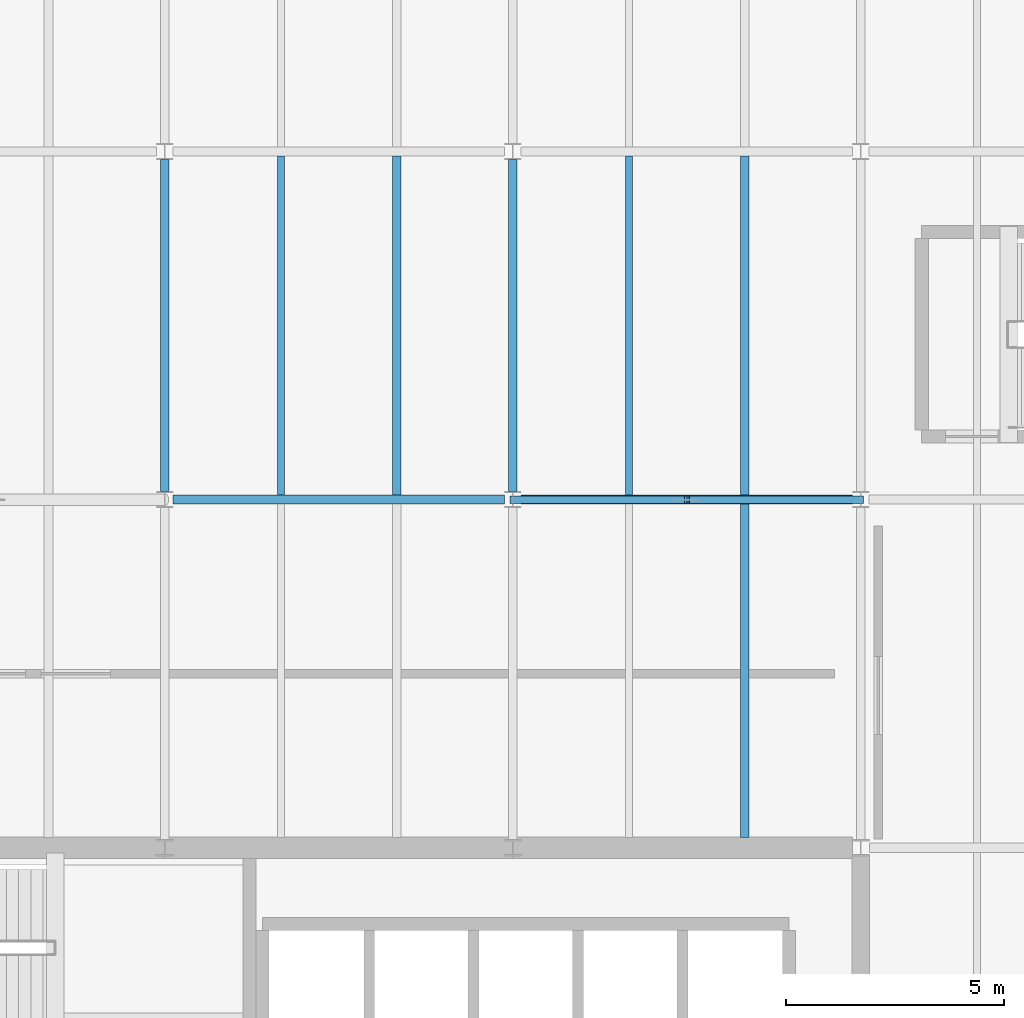
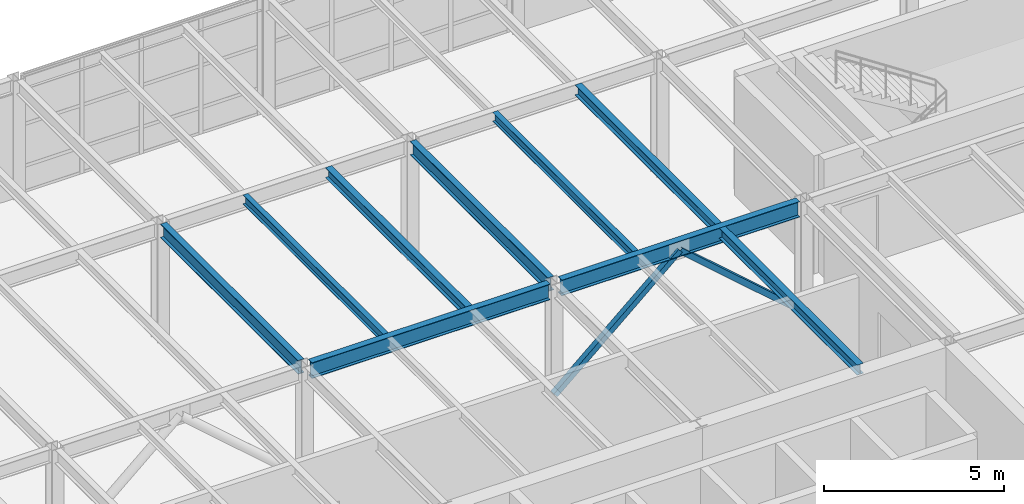
# One storey, part 17 of 50: 9 beams, 2 members.
"""IFC4 building model written with IfcOpenShell, lengths in metres."""

import ifcopenshell
import ifcopenshell.guid

model = None  # the IFC model being written
_history = None  # IfcOwnerHistory: only IFC2X3 demands one
_inside = {}  # id of a spatial element -> (the spatial element, [elements in it])
_under = {}  # id of a project, library or spatial element -> (it, [spatial elements below it])
_declared = {}  # id of a project -> (the project, [libraries it declares])
_typed = {}  # id of a type object -> (the type object, [elements of that type])
_made_of = {}  # id of a material, layer set ... -> (it, [elements and type objects made of it])


def new_model(schema):
    """Start an empty IFC model of exactly this schema.

    Asked for "IFC4X3", IfcOpenShell would pick the latest addendum, in which some entities
    have other attributes; the version numbers below select the first issue.
    IFC2X3 requires an IfcOwnerHistory on every rooted entity: one is made here for all.
    """
    global model, _history
    if schema == "IFC4X3":
        model = ifcopenshell.file(schema_version=(4, 3, 0, 0))
    else:
        model = ifcopenshell.file(schema=schema)
    _inside.clear()
    _under.clear()
    _declared.clear()
    _typed.clear()
    _made_of.clear()
    _history = None
    if model.schema == "IFC2X3":
        org = make("IfcOrganization", Name="unknown")
        user = make(
            "IfcPersonAndOrganization",
            ThePerson=make("IfcPerson", FamilyName="unknown"),
            TheOrganization=org,
        )
        app = make(
            "IfcApplication",
            ApplicationDeveloper=org,
            Version="unknown",
            ApplicationFullName="unknown",
            ApplicationIdentifier="unknown",
        )
        _history = make(
            "IfcOwnerHistory",
            OwningUser=user,
            OwningApplication=app,
            ChangeAction="ADDED",
            CreationDate=0,
        )
    return model


def make(cls, **values):
    """One entity of the class cls with the attributes given. An attribute that is None is left unset."""
    return model.create_entity(
        cls, **{name: value for name, value in values.items() if value is not None}
    )


def rooted(cls, **values):
    """An entity with a GlobalId (a new one), such as an element, a storey or a relation."""
    return make(cls, GlobalId=ifcopenshell.guid.new(), OwnerHistory=_history, **values)


def si_unit(unit_type, name, prefix=None):
    """IfcSIUnit, for example si_unit("LENGTHUNIT", "METRE", prefix="MILLI")."""
    return make("IfcSIUnit", UnitType=unit_type, Prefix=prefix, Name=name)


def assignment(units):
    """IfcUnitAssignment: the units of a project."""
    return None if units is None else make("IfcUnitAssignment", Units=units)


def point(xyz):
    """IfcCartesianPoint."""
    return None if xyz is None else make("IfcCartesianPoint", Coordinates=xyz)


def direction(xyz):
    """IfcDirection."""
    return None if xyz is None else make("IfcDirection", DirectionRatios=xyz)


def frame(location, z_axis=None, x_axis=None):
    """IfcAxis2Placement3D, a coordinate frame: its origin and axes. An axis left out is left unset."""
    return make(
        "IfcAxis2Placement3D",
        Location=point(location),
        Axis=direction(z_axis),
        RefDirection=direction(x_axis),
    )


def frame_2d(location, x_axis=None):
    """IfcAxis2Placement2D, a coordinate frame in the plane: its origin and x axis."""
    return make(
        "IfcAxis2Placement2D", Location=point(location), RefDirection=direction(x_axis)
    )


def origin():
    """The frame at (0, 0, 0) with its axes left unset."""
    return frame((0.0, 0.0, 0.0))


def origin_2d():
    """The frame at (0, 0) in the plane with its x axis left unset."""
    return frame_2d((0.0, 0.0))


def place(relative_to, where):
    """IfcLocalPlacement: puts the frame where relative to a parent placement (None: the world)."""
    return make(
        "IfcLocalPlacement", PlacementRelTo=relative_to, RelativePlacement=where
    )


def context(
    kind, dimensions, precision=None, world=None, true_north=None, identifier=None
):
    """IfcGeometricRepresentationContext, for example the 3D "Model" context."""
    return make(
        "IfcGeometricRepresentationContext",
        ContextIdentifier=identifier,
        ContextType=kind,
        CoordinateSpaceDimension=dimensions,
        Precision=precision,
        WorldCoordinateSystem=world,
        TrueNorth=true_north,
    )


def subcontext(parent, identifier, kind, view, scale=None):
    """IfcGeometricRepresentationSubContext, for example "Body" below "Model"."""
    return make(
        "IfcGeometricRepresentationSubContext",
        ContextIdentifier=identifier,
        ContextType=kind,
        ParentContext=parent,
        TargetScale=scale,
        TargetView=view,
    )


def project(units=None, contexts=None):
    """IfcProject with its units and contexts."""
    return rooted(
        "IfcProject",
        Name="project",
        RepresentationContexts=contexts,
        UnitsInContext=assignment(units),
    )


def spatial(cls, under=None, at=None, **own):
    """A site, building, storey or space (cls), placed at a placement, below another one or the project."""
    s = rooted(cls, ObjectPlacement=at, **own)
    if under is not None:
        _under.setdefault(under.id(), (under, []))[1].append(s)
    return s


def profile(cls, at=None, kind="AREA", **sizes):
    """A parametric profile (cls). Its sizes go by their IFC names, for example OverallWidth=200.0."""
    return make(cls, ProfileType=kind, Position=at, **sizes)


def hollow_rectangle(**sizes):
    """IfcRectangleHollowProfileDef."""
    return profile("IfcRectangleHollowProfileDef", **sizes)


def i_section(**sizes):
    """IfcIShapeProfileDef."""
    return profile("IfcIShapeProfileDef", **sizes)


def extrude(swept, where, along, depth):
    """IfcExtrudedAreaSolid: the profile swept, set in the frame where, extruded along a direction by depth."""
    return make(
        "IfcExtrudedAreaSolid",
        SweptArea=swept,
        Position=where,
        ExtrudedDirection=direction(along),
        Depth=depth,
    )


def shape(context_of_items, identifier, shape_type, items):
    """IfcShapeRepresentation: the items that make up one representation, for example the "Body"."""
    return make(
        "IfcShapeRepresentation",
        ContextOfItems=context_of_items,
        RepresentationIdentifier=identifier,
        RepresentationType=shape_type,
        Items=items,
    )


def material(Name=None, Category=None):
    """IfcMaterial."""
    return make("IfcMaterial", Name=Name, Category=Category)


def material_profile(
    of_material, cross_section, Name=None, Category=None, Priority=None
):
    """IfcMaterialProfile: a cross section and its material."""
    return make(
        "IfcMaterialProfile",
        Name=Name,
        Material=of_material,
        Profile=cross_section,
        Priority=Priority,
        Category=Category,
    )


def profile_set(profiles, Name=None, composite=None):
    """IfcMaterialProfileSet."""
    return make(
        "IfcMaterialProfileSet",
        Name=Name,
        MaterialProfiles=profiles,
        CompositeProfile=composite,
    )


def made_of(thing, what):
    """Note that an element or type object is made of a material, layer set ...; save() writes the relation."""
    if what is not None:
        _made_of.setdefault(what.id(), (what, []))[1].append(thing)
    return thing


def type_object(cls, material=None, **own):
    """A type object (cls), such as IfcWallType, which elements share."""
    return made_of(rooted(cls, **own), material)


def element(
    cls,
    number,
    at=None,
    inside=None,
    cuts=None,
    type_object=None,
    material=None,
    context=None,
    identifier="Body",
    shape_type=None,
    held_by="IfcProductDefinitionShape",
    body=None,
    shapes=None,
    **own,
):
    """One element of the class cls, such as IfcWall. Its Tag is "e" and its number.

    at: its placement. inside: the storey or other place that contains it. cuts: it is an
    opening in that element (IfcRelVoidsElement). A single representation is given by context,
    identifier, shape_type and body (its items); several are given by shapes. held_by: the class
    of the entity that holds the representations. save() writes the other relations.
    """
    e = rooted(cls, Tag="e%d" % number, ObjectPlacement=at, **own)
    if body is not None:
        shapes = [shape(context, identifier, shape_type, body)]
    if shapes is not None:
        e.Representation = make(held_by, Representations=shapes)
    if inside is not None:
        _inside.setdefault(inside.id(), (inside, []))[1].append(e)
    if cuts is not None:
        rooted(
            "IfcRelVoidsElement", RelatingBuildingElement=cuts, RelatedOpeningElement=e
        )
    if type_object is not None:
        _typed.setdefault(type_object.id(), (type_object, []))[1].append(e)
    return made_of(e, material)


def aggregate(whole, parts):
    """IfcRelAggregates: a whole, such as a stair, and the parts it consists of."""
    return rooted("IfcRelAggregates", RelatingObject=whole, RelatedObjects=parts)


def save(model, path):
    """Write the relations noted so far, then the file.

    IfcRelAggregates (storeys below a building ...), IfcRelContainedInSpatialStructure (elements
    in a storey), IfcRelDefinesByType, IfcRelAssociatesMaterial and IfcRelDeclares: one each for
    every whole, place, type object, material and project.
    """
    for whole, parts in _under.values():
        aggregate(whole, parts)
    for where, things in _inside.values():
        rooted(
            "IfcRelContainedInSpatialStructure",
            RelatedElements=things,
            RelatingStructure=where,
        )
    for kind, things in _typed.values():
        rooted("IfcRelDefinesByType", RelatedObjects=things, RelatingType=kind)
    for what, things in _made_of.values():
        rooted("IfcRelAssociatesMaterial", RelatedObjects=things, RelatingMaterial=what)
    for by, libraries in _declared.values():
        rooted("IfcRelDeclares", RelatingContext=by, RelatedDefinitions=libraries)
    model.write(path)


model = new_model("IFC4")

# Units and contexts
model_context = context("Model", 3, precision=1e-05, world=origin(), true_north=direction((0.0, 1.0)))
body_context = subcontext(model_context, "Body", "Model", "MODEL_VIEW")
ifc_project = project(units=[si_unit("LENGTHUNIT", "METRE"), si_unit("AREAUNIT", "SQUARE_METRE"), si_unit("VOLUMEUNIT", "CUBIC_METRE"), si_unit("PLANEANGLEUNIT", "RADIAN"), si_unit("MASSUNIT", "GRAM", prefix="KILO")], contexts=[model_context])

# Site, building, storey
site_placement = place(None, origin())
site = spatial("IfcSite", under=ifc_project, at=site_placement, CompositionType="ELEMENT")
building_placement = place(site_placement, origin())
building = spatial("IfcBuilding", under=site, at=building_placement, Name="Varnela Railside Interchange", CompositionType="ELEMENT")
storey_placement = place(building_placement, frame((0.0, 0.0, 15.39990234375)))
storey = spatial("IfcBuildingStorey", under=building, at=storey_placement, Name="L03", CompositionType="ELEMENT", Elevation=15.39990234375)

# Beams
ifc_material = material(Name="Steel AR 350 (350 MPa)", Category="steel")
ifc_material_profile_1 = material_profile(ifc_material, i_section(OverallWidth=0.1650390625, OverallDepth=0.31005859375, WebThickness=0.005859375, FlangeThickness=0.009765625, at=origin_2d()), Name="W310x38.7")
ifc_profile_set_1 = profile_set([ifc_material_profile_1], Name="Steel AR 350 (350 MPa)")
beam_type_1 = type_object("IfcBeamType", Name="Composite Floor Joist J-04", PredefinedType="JOIST", material=ifc_profile_set_1)
for number, where, z_axis, x_axis, name in (
    (1, (22.669921875, 78.1044921875, 3.84521484375), (0.0, 1.0, 0.0), (-1.0, 0.0, 0.0), "Composite Floor Joist J-04 (L03) (BM-2181)"),
    (2, (30.669921875, 78.1044921875, 3.84521484375), (0.0, 1.0, 0.0), (-1.0, 0.0, 0.0), "Composite Floor Joist J-04 (L03) (BM-2189)"),
):
    element("IfcBeam", number, at=place(storey_placement, frame(where, z_axis=z_axis, x_axis=x_axis)), inside=storey, type_object=beam_type_1, Name=name, PredefinedType="JOIST", context=body_context, shape_type="SweptSolid", body=[
        extrude(i_section(OverallWidth=0.1650390625, OverallDepth=0.31005859375, WebThickness=0.005859375, FlangeThickness=0.009765625, at=origin_2d()), origin(), (0.0, 0.0, 1.0), 7.791015625),
    ])
ifc_material_profile_2 = material_profile(ifc_material, i_section(OverallWidth=0.208984375, OverallDepth=0.532958984375, WebThickness=0.01025390625, FlangeThickness=0.015625, at=origin_2d()), Name="W530x92")
ifc_profile_set_2 = profile_set([ifc_material_profile_2], Name="Steel AR 350 (350 MPa)")
beam_type_2 = type_object("IfcBeamType", Name="Composite Girder B-18", PredefinedType="BEAM", material=ifc_profile_set_2)
for number, where, z_axis, x_axis, name in (
    (3, (20.1865234375, 78.0, 3.733642578125), (1.0, 0.0, 0.0), (0.0, 1.0, 0.0), "Composite Girder B-18 (L03) (BM-2253)"),
    (4, (28.1865234375, 78.0, 3.733642578125), (1.0, 0.0, 0.0), (0.0, 1.0, 0.0), "Composite Girder B-18 (L03) (BM-2254)"),
):
    element("IfcBeam", number, at=place(storey_placement, frame(where, z_axis=z_axis, x_axis=x_axis)), inside=storey, type_object=beam_type_2, Name=name, PredefinedType="BEAM", context=body_context, shape_type="SweptSolid", body=[
        extrude(i_section(OverallWidth=0.208984375, OverallDepth=0.532958984375, WebThickness=0.01025390625, FlangeThickness=0.015625, at=origin_2d()), origin(), (0.0, 0.0, 1.0), 7.626953125),
    ])
ifc_material_profile_3 = material_profile(ifc_material, i_section(OverallWidth=0.202880859375, OverallDepth=0.346923828125, WebThickness=0.0078125, FlangeThickness=0.013427734375, at=origin_2d()), Name="W360x64")
ifc_profile_set_3 = profile_set([ifc_material_profile_3], Name="Steel AR 350 (350 MPa)")
beam_type_3 = type_object("IfcBeamType", Name="Composite Heavy Joist J-01", PredefinedType="JOIST", material=ifc_profile_set_3)
beam_1_placement = place(storey_placement, frame((25.330078125, 78.1044921875, 3.82666015625), z_axis=(0.0, 1.0, 0.0), x_axis=(-1.0, 0.0, 0.0)))
element("IfcBeam", 5, at=beam_1_placement, inside=storey, type_object=beam_type_3, Name="Composite Heavy Joist J-01 (L03) (BM-2182)", PredefinedType="JOIST", context=body_context, shape_type="SweptSolid", body=[
    extrude(i_section(OverallWidth=0.202880859375, OverallDepth=0.346923828125, WebThickness=0.0078125, FlangeThickness=0.013427734375, at=origin_2d()), origin(), (0.0, 0.0, 1.0), 7.791015625),
])
beam_2_placement = place(storey_placement, frame((33.330078125, 70.239990234375, 3.82666015625), z_axis=(0.0, 1.0, 0.0), x_axis=(-1.0, 0.0, 0.0)))
element("IfcBeam", 6, at=beam_2_placement, inside=storey, type_object=beam_type_3, Name="Composite Heavy Joist J-01 (L03) (BM-2188)", PredefinedType="JOIST", context=body_context, shape_type="SweptSolid", body=[
    extrude(i_section(OverallWidth=0.202880859375, OverallDepth=0.346923828125, WebThickness=0.0078125, FlangeThickness=0.013427734375, at=origin_2d()), origin(), (0.0, 0.0, 1.0), 7.655517578125),
])
beam_3_placement = place(storey_placement, frame((33.330078125, 78.1044921875, 3.82666015625), z_axis=(0.0, 1.0, 0.0), x_axis=(-1.0, 0.0, 0.0)))
element("IfcBeam", 7, at=beam_3_placement, inside=storey, type_object=beam_type_3, Name="Composite Heavy Joist J-01 (L03) (BM-2190)", PredefinedType="JOIST", context=body_context, shape_type="SweptSolid", body=[
    extrude(i_section(OverallWidth=0.202880859375, OverallDepth=0.346923828125, WebThickness=0.0078125, FlangeThickness=0.013427734375, at=origin_2d()), origin(), (0.0, 0.0, 1.0), 7.791015625),
])
ifc_material_profile_4 = material_profile(ifc_material, i_section(OverallWidth=0.194091796875, OverallDepth=0.468994140625, WebThickness=0.0126953125, FlangeThickness=0.0205078125, at=origin_2d()), Name="W460x106")
ifc_profile_set_4 = profile_set([ifc_material_profile_4], Name="Steel AR 350 (350 MPa)")
beam_type_4 = type_object("IfcBeamType", Name="Composite Primary Beam B-19", PredefinedType="BEAM", material=ifc_profile_set_4)
for number, where, z_axis, x_axis, name in (
    (8, (20.0, 78.18408203125, 3.765625), (0.0, 1.0, 0.0), (-1.0, 0.0, 0.0), "Composite Primary Beam B-19 (L03) (BM-2317)"),
    (9, (28.0, 78.18408203125, 3.765625), (0.0, 1.0, 0.0), (-1.0, 0.0, 0.0), "Composite Primary Beam B-19 (L03) (BM-2322)"),
):
    element("IfcBeam", number, at=place(storey_placement, frame(where, z_axis=z_axis, x_axis=x_axis)), inside=storey, type_object=beam_type_4, Name=name, PredefinedType="BEAM", context=body_context, shape_type="SweptSolid", body=[
        extrude(i_section(OverallWidth=0.194091796875, OverallDepth=0.468994140625, WebThickness=0.0126953125, FlangeThickness=0.0205078125, at=origin_2d()), origin(), (0.0, 0.0, 1.0), 7.6318359375),
    ])

# Members
ifc_material_profile_5 = material_profile(ifc_material, hollow_rectangle(XDim=0.179931640625, YDim=0.179931640625, WallThickness=0.010009765625, at=origin_2d()), Name="HSS 180x180x10")
ifc_profile_set_5 = profile_set([ifc_material_profile_5], Name="Steel AR 350 (350 MPa)")
member_type = type_object("IfcMemberType", Name="Crown Chevron Brace BR-07", PredefinedType="BRACE", material=ifc_profile_set_5)
for number, where, z_axis, x_axis, name in (
    (10, (28.0, 78.0, 0.150146484375), (0.752576694707, 0.0, 0.658504607869), (0.0, 1.0, 0.0), "Crown Chevron Brace BR-07 (L03) (MB-0091)"),
    (11, (36.0, 78.0, 0.150146484375), (-0.752576694707, 0.0, 0.658504607869), (0.0, -1.0, 0.0), "Crown Chevron Brace BR-07 (L03) (MB-0092)"),
):
    element("IfcMember", number, at=place(storey_placement, frame(where, z_axis=z_axis, x_axis=x_axis)), inside=storey, type_object=member_type, Name=name, PredefinedType="BRACE", context=body_context, shape_type="SweptSolid", body=[
        extrude(hollow_rectangle(XDim=0.179931640625, YDim=0.179931640625, WallThickness=0.010009765625, at=origin_2d()), origin(), (0.0, 0.0, 1.0), 5.315185546875),
    ])

save(model, "model.ifc")
